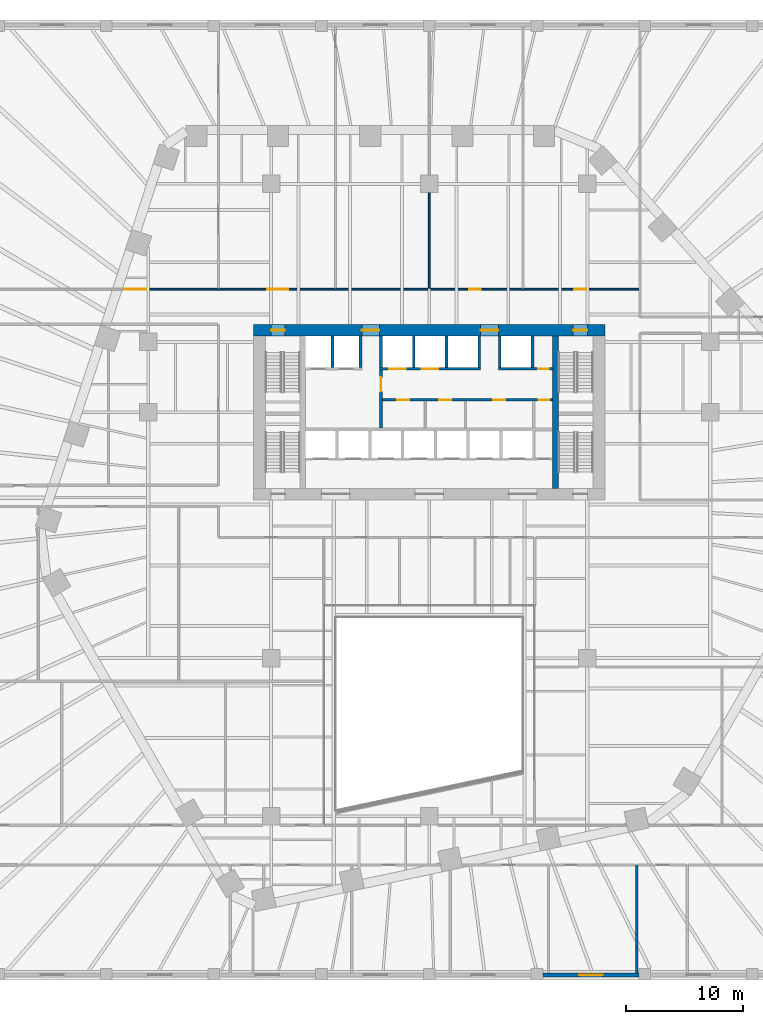
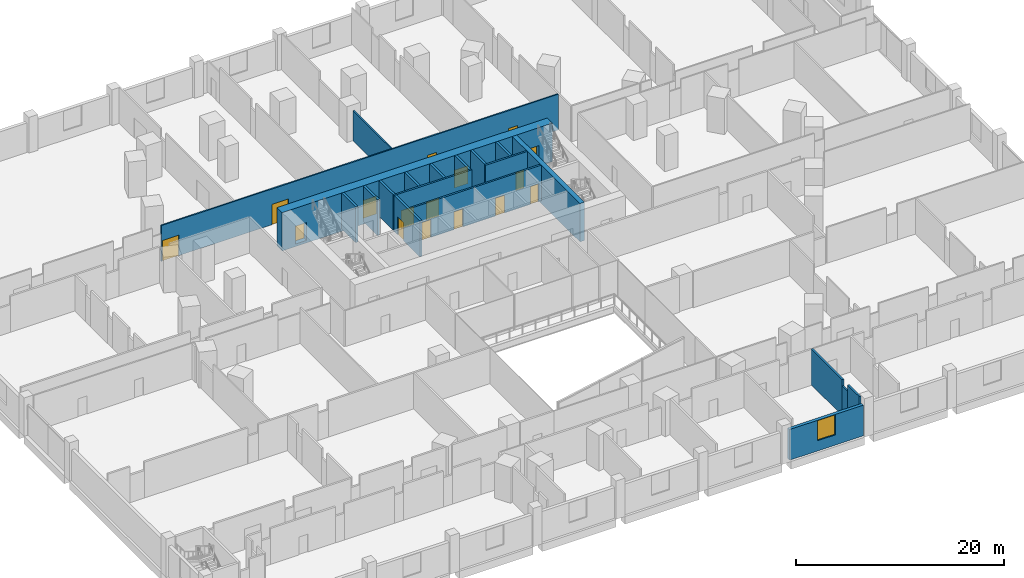
# One storey, part 18 of 29: 20 walls, 16 doors, 1 window, 17 openings.
"""IFC4 building model written with IfcOpenShell, lengths in metres."""

from ifc_helpers import new_model, si_unit, direction, frame, frame_2d, origin, place, context, subcontext, project, spatial, rectangle, extrude, material, layer, layer_set, type_object, element, fill, save


model = new_model("IFC4")

# Units and contexts
model_context = context("Model", 3, precision=1e-05, world=origin(), true_north=direction((0.0, 1.0)))
body_context = subcontext(model_context, "Body", "Model", "MODEL_VIEW")
ifc_project = project(units=[si_unit("LENGTHUNIT", "METRE"), si_unit("AREAUNIT", "SQUARE_METRE"), si_unit("VOLUMEUNIT", "CUBIC_METRE"), si_unit("PLANEANGLEUNIT", "RADIAN"), si_unit("MASSUNIT", "GRAM", prefix="KILO")], contexts=[model_context])

# Site, building, storey
site_placement = place(None, origin())
site = spatial("IfcSite", under=ifc_project, at=site_placement, CompositionType="ELEMENT")
building_placement = place(site_placement, origin())
building = spatial("IfcBuilding", under=site, at=building_placement, Name="Isthmus Gate Tower", CompositionType="ELEMENT")
storey_placement = place(building_placement, frame((0.0, 0.0, 27.0)))
storey = spatial("IfcBuildingStorey", under=building, at=storey_placement, Name="L04", CompositionType="ELEMENT", Elevation=27.0)

# Wall, opening, door
ifc_material_1 = material(Name="Fire-rated blockwork masonry, 15 MPa", Category="masonry")
ifc_layer_1 = layer(ifc_material_1, 0.25)
ifc_layer_set_1 = layer_set([ifc_layer_1], Name="FIRE-FIGHTING LOBBY WALL 250 90 MIN")
wall_type_1 = type_object("IfcWallType", Name="FIRE-FIGHTING LOBBY WALL 250 90 MIN", PredefinedType="PARTITIONING", material=ifc_layer_set_1)
wall_1_placement = place(storey_placement, frame((-4.125, 6.14990234375, 0.0), z_axis=(0.0, 0.0, 1.0), x_axis=(0.0, 1.0, 0.0)))
wall_1 = element("IfcWall", 1, at=wall_1_placement, inside=storey, type_object=wall_type_1, Name="L04 FIRE-FIGHTING LOBBY WALL 250 90 MIN", PredefinedType="PARTITIONING", context=body_context, shape_type="SweptSolid", body=[
    extrude(rectangle(XDim=4.9501953125, YDim=0.25, at=frame_2d((2.47509765625, 0.0))), origin(), (0.0, 0.0, 1.0), 4.199951171875),
])
opening_1_placement = place(wall_1_placement, frame((3.125, 0.0, 0.0)))
opening_1 = element("IfcOpeningElement", 2, at=opening_1_placement, cuts=wall_1, Name="Opening DC-A05-01", PredefinedType="OPENING", context=body_context, shape_type="SweptSolid", body=[
    extrude(rectangle(XDim=1.199951171875, YDim=2.10009765625, at=frame_2d((0.60009765625, 1.050048828125))), frame((0.0, 0.135009765625, 0.0), z_axis=(0.0, -1.0, 0.0), x_axis=(1.0, 0.0, 0.0)), (0.0, 0.0, 1.0), 0.27001953125),
])
ifc_material_2 = material(Name="Steel door leaf, fire-rated", Category="steel")
door_type_1 = type_object("IfcDoorType", Name="LOBBY FIRE DOOR 1200 X 2100 90 MIN", OperationType="DOUBLE_DOOR_SINGLE_SWING", PredefinedType="DOOR", material=ifc_material_2)
door_1_placement = place(opening_1_placement, origin())
door_1 = element("IfcDoor", 3, at=door_1_placement, inside=storey, type_object=door_type_1, Name="Fire-fighting Lobby Door", OperationType="SINGLE_SWING_LEFT", OverallHeight=2.10009765625, OverallWidth=1.199951171875, PredefinedType="DOOR", context=body_context, shape_type="SweptSolid", body=[
    extrude(rectangle(XDim=1.199951171875, YDim=2.10009765625, at=frame_2d((0.60009765625, 1.050048828125))), frame((0.0, 0.02490234375, 0.0), z_axis=(0.0, -1.0, 0.0), x_axis=(1.0, 0.0, 0.0)), (0.0, 0.0, 1.0), 0.050048828125),
])
fill(opening_1, door_1)

# Walls
ifc_material_3 = material(Name="Concrete f'c 30 MPa", Category="concrete")
ifc_layer_2 = layer(ifc_material_3, 0.199951171875)
ifc_layer_set_2 = layer_set([ifc_layer_2], Name="Fire-rated block wall 200")
wall_type_2 = type_object("IfcWallType", Name="Fire-rated block wall 200", PredefinedType="PARTITIONING", material=ifc_layer_set_2)
wall_2_placement = place(storey_placement, frame((17.714111328125, -40.39990234375, 0.0), z_axis=(0.0, 0.0, 1.0), x_axis=(0.0, 1.0, 0.0)))
element("IfcWall", 4, at=wall_2_placement, inside=storey, type_object=wall_type_2, Name="Fire-rated wall", PredefinedType="PARTITIONING", context=body_context, shape_type="SweptSolid", body=[
    extrude(rectangle(XDim=2.20849609375, YDim=0.199951171875, at=frame_2d((1.104248046875, 0.0))), origin(), (0.0, 0.0, 1.0), 4.199951171875),
])
wall_3_placement = place(storey_placement, frame((17.714111328125, -38.19140625, 0.0), z_axis=(0.0, 0.0, 1.0), x_axis=(0.0, 1.0, 0.0)))
element("IfcWall", 5, at=wall_3_placement, inside=storey, type_object=wall_type_2, Name="Fire-rated wall", PredefinedType="PARTITIONING", context=body_context, shape_type="SweptSolid", body=[
    extrude(rectangle(XDim=1.059814453125, YDim=0.199951171875, at=frame_2d((0.52978515625, 0.0))), origin(), (0.0, 0.0, 1.0), 3.45068359375),
])
wall_4_placement = place(storey_placement, frame((17.714111328125, -37.131591796875, 0.0), z_axis=(0.0, 0.0, 1.0), x_axis=(0.0, 1.0, 0.0)))
element("IfcWall", 6, at=wall_4_placement, inside=storey, type_object=wall_type_2, Name="Fire-rated wall", PredefinedType="PARTITIONING", context=body_context, shape_type="SweptSolid", body=[
    extrude(rectangle(XDim=5.95263671875, YDim=0.199951171875, at=frame_2d((2.976318359375, 0.0))), origin(), (0.0, 0.0, 1.0), 4.199951171875),
])

# Wall, opening, window
ifc_material_4 = material(Name="Precast concrete C40/50, limestone-faced", Category="masonry")
ifc_layer_3 = layer(ifc_material_4, 0.35009765625)
ifc_layer_set_3 = layer_set([ifc_layer_3], Name="PODIUM CLADDING WALL 350")
wall_type_3 = type_object("IfcWallType", Name="PODIUM CLADDING WALL 350", PredefinedType="SOLIDWALL", material=ifc_layer_set_3)
wall_5_placement = place(storey_placement, frame((9.699951171875, -40.574951171875, -0.300048828125), z_axis=(0.0, 0.0, 1.0), x_axis=(1.0, 0.0, 0.0)))
wall_5 = element("IfcWall", 7, at=wall_5_placement, inside=storey, type_object=wall_type_3, Name="PODIUM WALL", PredefinedType="SOLIDWALL", context=body_context, shape_type="SweptSolid", body=[
    extrude(rectangle(XDim=8.199951171875, YDim=0.35009765625, at=frame_2d((4.10009765625, 0.0))), origin(), (0.0, 0.0, 1.0), 3.60009765625),
])
opening_2_placement = place(wall_5_placement, frame((3.10009765625, 0.0, 1.199951171875)))
opening_2 = element("IfcOpeningElement", 8, at=opening_2_placement, cuts=wall_5, Name="Opening W068", PredefinedType="OPENING", context=body_context, shape_type="SweptSolid", body=[
    extrude(rectangle(XDim=2.0, YDim=2.35009765625, at=frame_2d((1.0, 1.175048828125))), frame((0.0, 0.18505859375, 0.0), z_axis=(0.0, -1.0, 0.0), x_axis=(1.0, 0.0, 0.0)), (0.0, 0.0, 1.0), 0.3701171875),
])
ifc_material_5 = material(Name="Aluminium, pale champagne anodised, laminated glass", Category="aluminium")
window_type = type_object("IfcWindowType", Name="PODIUM SLOT WINDOW 2000 X 2350", PartitioningType="SINGLE_PANEL", PredefinedType="WINDOW", material=ifc_material_5)
window_placement = place(opening_2_placement, origin())
window = element("IfcWindow", 9, at=window_placement, inside=storey, type_object=window_type, Name="SLOT WINDOW", OverallHeight=2.35009765625, OverallWidth=2.0, PartitioningType="SINGLE_PANEL", PredefinedType="WINDOW", context=body_context, shape_type="SweptSolid", body=[
    extrude(rectangle(XDim=2.0, YDim=2.35009765625, at=frame_2d((1.0, 1.175048828125))), frame((0.0, 0.030029296875, 0.0), z_axis=(0.0, -1.0, 0.0), x_axis=(1.0, 0.0, 0.0)), (0.0, 0.0, 1.0), 0.06005859375),
])
fill(opening_2, window)

# Wall, openings, doors
ifc_material_6 = material(Name="Gypsum board on cold-formed steel studs", Category="steel")
ifc_layer_4 = layer(ifc_material_6, 0.14990234375)
ifc_layer_set_4 = layer_set([ifc_layer_4])
wall_type_4 = type_object("IfcWallType", Name="Partition 150 gypsum board on steel studs", PredefinedType="PARTITIONING", material=ifc_layer_set_4)
wall_6_placement = place(storey_placement, frame((-26.142333984375, 18.0, 0.0), z_axis=(0.0, 0.0, 1.0), x_axis=(1.0, 0.0, 0.0)))
wall_6 = element("IfcWall", 10, at=wall_6_placement, inside=storey, type_object=wall_type_4, Name="Partition", PredefinedType="PARTITIONING", context=body_context, shape_type="SweptSolid", body=[
    extrude(rectangle(XDim=44.0673828125, YDim=0.14990234375, at=frame_2d((22.03369140625, 0.0))), origin(), (0.0, 0.0, 1.0), 4.199951171875),
])
opening_3_placement = place(wall_6_placement, frame((0.14990234375, 0.0, 0.0)))
opening_3 = element("IfcOpeningElement", 11, at=opening_3_placement, cuts=wall_6, Name="Opening DP04-10", PredefinedType="OPENING", context=body_context, shape_type="SweptSolid", body=[
    extrude(rectangle(XDim=1.800048828125, YDim=2.39990234375, at=frame_2d((0.89990234375, 1.199951171875))), frame((0.0, 0.0849609375, 0.0), z_axis=(0.0, -1.0, 0.0), x_axis=(1.0, 0.0, 0.0)), (0.0, 0.0, 1.0), 0.169921875),
])
opening_4_placement = place(wall_6_placement, frame((12.29248046875, 0.0, 0.0)))
opening_4 = element("IfcOpeningElement", 12, at=opening_4_placement, cuts=wall_6, Name="Opening DP04-31", PredefinedType="OPENING", context=body_context, shape_type="SweptSolid", body=[
    extrude(rectangle(XDim=1.800048828125, YDim=2.39990234375, at=frame_2d((0.89990234375, 1.199951171875))), frame((0.0, 0.0849609375, 0.0), z_axis=(0.0, -1.0, 0.0), x_axis=(1.0, 0.0, 0.0)), (0.0, 0.0, 1.0), 0.169921875),
])
opening_5_placement = place(wall_6_placement, frame((29.54248046875, 0.0, 0.0)))
opening_5 = element("IfcOpeningElement", 13, at=opening_5_placement, cuts=wall_6, Name="Opening DP04-33", PredefinedType="OPENING", context=body_context, shape_type="SweptSolid", body=[
    extrude(rectangle(XDim=1.0, YDim=2.10009765625, at=frame_2d((0.5, 1.050048828125))), frame((0.0, 0.0849609375, 0.0), z_axis=(0.0, -1.0, 0.0), x_axis=(1.0, 0.0, 0.0)), (0.0, 0.0, 1.0), 0.169921875),
])
opening_6_placement = place(wall_6_placement, frame((38.54248046875, 0.0, 0.0)))
opening_6 = element("IfcOpeningElement", 14, at=opening_6_placement, cuts=wall_6, Name="Opening DP04-34", PredefinedType="OPENING", context=body_context, shape_type="SweptSolid", body=[
    extrude(rectangle(XDim=1.0, YDim=2.10009765625, at=frame_2d((0.5, 1.050048828125))), frame((0.0, 0.0849609375, 0.0), z_axis=(0.0, -1.0, 0.0), x_axis=(1.0, 0.0, 0.0)), (0.0, 0.0, 1.0), 0.169921875),
])
ifc_material_7 = material(Name="Hollow metal frame with solid-core timber leaves", Category="wood")
door_type_2 = type_object("IfcDoorType", Name="Double swing door 1800 x 2400", OperationType="DOUBLE_DOOR_SINGLE_SWING", PredefinedType="DOOR", material=ifc_material_7)
door_2_placement = place(opening_3_placement, origin())
door_2 = element("IfcDoor", 15, at=door_2_placement, inside=storey, type_object=door_type_2, Name="Door DP04-10", OperationType="SINGLE_SWING_LEFT", OverallHeight=2.39990234375, OverallWidth=1.800048828125, PredefinedType="DOOR", context=body_context, shape_type="SweptSolid", body=[
    extrude(rectangle(XDim=1.800048828125, YDim=2.39990234375, at=frame_2d((0.89990234375, 1.199951171875))), frame((0.0, 0.02490234375, 0.0), z_axis=(0.0, -1.0, 0.0), x_axis=(1.0, 0.0, 0.0)), (0.0, 0.0, 1.0), 0.050048828125),
])
fill(opening_3, door_2)
door_3_placement = place(opening_4_placement, origin())
door_3 = element("IfcDoor", 16, at=door_3_placement, inside=storey, type_object=door_type_2, Name="Door DP04-31", OperationType="SINGLE_SWING_LEFT", OverallHeight=2.39990234375, OverallWidth=1.800048828125, PredefinedType="DOOR", context=body_context, shape_type="SweptSolid", body=[
    extrude(rectangle(XDim=1.800048828125, YDim=2.39990234375, at=frame_2d((0.89990234375, 1.199951171875))), frame((0.0, 0.02490234375, 0.0), z_axis=(0.0, -1.0, 0.0), x_axis=(1.0, 0.0, 0.0)), (0.0, 0.0, 1.0), 0.050048828125),
])
fill(opening_4, door_3)
ifc_material_8 = material(Name="Hollow metal frame with solid-core timber leaf", Category="wood")
door_type_3 = type_object("IfcDoorType", Name="Single swing door 1000 x 2100", OperationType="SINGLE_SWING_LEFT", PredefinedType="DOOR", material=ifc_material_8)
door_4_placement = place(opening_5_placement, origin())
door_4 = element("IfcDoor", 17, at=door_4_placement, inside=storey, type_object=door_type_3, Name="Door DP04-33", OperationType="SINGLE_SWING_LEFT", OverallHeight=2.10009765625, OverallWidth=1.0, PredefinedType="DOOR", context=body_context, shape_type="SweptSolid", body=[
    extrude(rectangle(XDim=1.0, YDim=2.10009765625, at=frame_2d((0.5, 1.050048828125))), frame((0.0, 0.02490234375, 0.0), z_axis=(0.0, -1.0, 0.0), x_axis=(1.0, 0.0, 0.0)), (0.0, 0.0, 1.0), 0.050048828125),
])
fill(opening_5, door_4)
door_5_placement = place(opening_6_placement, origin())
door_5 = element("IfcDoor", 18, at=door_5_placement, inside=storey, type_object=door_type_3, Name="Door DP04-34", OperationType="SINGLE_SWING_LEFT", OverallHeight=2.10009765625, OverallWidth=1.0, PredefinedType="DOOR", context=body_context, shape_type="SweptSolid", body=[
    extrude(rectangle(XDim=1.0, YDim=2.10009765625, at=frame_2d((0.5, 1.050048828125))), frame((0.0, 0.02490234375, 0.0), z_axis=(0.0, -1.0, 0.0), x_axis=(1.0, 0.0, 0.0)), (0.0, 0.0, 1.0), 0.050048828125),
])
fill(opening_6, door_5)

# Walls
wall_7_placement = place(storey_placement, frame((0.0, 18.074951171875, 0.0), z_axis=(0.0, 0.0, 1.0), x_axis=(0.0, 1.0, 0.0)))
element("IfcWall", 19, at=wall_7_placement, inside=storey, type_object=wall_type_4, Name="Partition", PredefinedType="PARTITIONING", context=body_context, shape_type="SweptSolid", body=[
    extrude(rectangle(XDim=8.175048828125, YDim=0.14990234375, at=frame_2d((4.08740234375, 0.0))), origin(), (0.0, 0.0, 1.0), 3.5205078125),
])
ifc_material_9 = material(Name="Concrete f'c 70 MPa", Category="concrete")
ifc_layer_5 = layer(ifc_material_9, 0.5)
ifc_layer_set_5 = layer_set([ifc_layer_5], Name="RC CORE SPINE WALL 500 F'C 70")
wall_type_5 = type_object("IfcWallType", Name="RC CORE SPINE WALL 500 F'C 70", PredefinedType="SOLIDWALL", material=ifc_layer_set_5)
wall_8_placement = place(storey_placement, frame((10.800048828125, 1.0, -0.300048828125), z_axis=(0.0, 0.0, 1.0), x_axis=(0.0, 1.0, 0.0)))
element("IfcWall", 20, at=wall_8_placement, inside=storey, type_object=wall_type_5, Name="str-corewall-L04-SPE", PredefinedType="SOLIDWALL", context=body_context, shape_type="SweptSolid", body=[
    extrude(rectangle(XDim=13.0, YDim=0.5, at=frame_2d((6.5, 0.0))), origin(), (0.0, 0.0, 1.0), 4.5),
])

# Wall, openings, doors
ifc_material_10 = material(Name="Concrete f'c 70 MPa", Category="concrete")
ifc_layer_6 = layer(ifc_material_10, 1.0)
ifc_layer_set_6 = layer_set([ifc_layer_6], Name="RC CORE WALL 1000 F'C 70")
wall_type_6 = type_object("IfcWallType", Name="RC CORE WALL 1000 F'C 70", PredefinedType="SOLIDWALL", material=ifc_layer_set_6)
wall_9_placement = place(storey_placement, frame((-15.0, 14.5, -0.300048828125), z_axis=(0.0, 0.0, 1.0), x_axis=(1.0, 0.0, 0.0)))
wall_9 = element("IfcWall", 21, at=wall_9_placement, inside=storey, type_object=wall_type_6, Name="str-corewall-L04-N", PredefinedType="SOLIDWALL", context=body_context, shape_type="SweptSolid", body=[
    extrude(rectangle(XDim=30.0, YDim=1.0, at=frame_2d((15.0, 0.0))), origin(), (0.0, 0.0, 1.0), 4.5),
])
opening_7_placement = place(wall_9_placement, frame((9.25, 0.0, 0.300048828125)))
opening_7 = element("IfcOpeningElement", 22, at=opening_7_placement, cuts=wall_9, Name="Opening DC-A05-11", PredefinedType="OPENING", context=body_context, shape_type="SweptSolid", body=[
    extrude(rectangle(XDim=1.5, YDim=2.10009765625, at=frame_2d((0.75, 1.050048828125))), frame((0.0, 0.510009765625, 0.0), z_axis=(0.0, -1.0, 0.0), x_axis=(1.0, 0.0, 0.0)), (0.0, 0.0, 1.0), 1.02001953125),
])
opening_8_placement = place(wall_9_placement, frame((19.39990234375, 0.0, 0.300048828125)))
opening_8 = element("IfcOpeningElement", 23, at=opening_8_placement, cuts=wall_9, Name="Opening DC-A05-12", PredefinedType="OPENING", context=body_context, shape_type="SweptSolid", body=[
    extrude(rectangle(XDim=1.5, YDim=2.10009765625, at=frame_2d((0.75, 1.050048828125))), frame((0.0, 0.510009765625, 0.0), z_axis=(0.0, -1.0, 0.0), x_axis=(1.0, 0.0, 0.0)), (0.0, 0.0, 1.0), 1.02001953125),
])
opening_9_placement = place(wall_9_placement, frame((1.5, 0.0, 0.300048828125)))
opening_9 = element("IfcOpeningElement", 24, at=opening_9_placement, cuts=wall_9, Name="Opening DC-A05-13", PredefinedType="OPENING", context=body_context, shape_type="SweptSolid", body=[
    extrude(rectangle(XDim=1.199951171875, YDim=2.10009765625, at=frame_2d((0.60009765625, 1.050048828125))), frame((0.0, 0.510009765625, 0.0), z_axis=(0.0, -1.0, 0.0), x_axis=(1.0, 0.0, 0.0)), (0.0, 0.0, 1.0), 1.02001953125),
])
opening_10_placement = place(wall_9_placement, frame((27.300048828125, 0.0, 0.300048828125)))
opening_10 = element("IfcOpeningElement", 25, at=opening_10_placement, cuts=wall_9, Name="Opening DC-A05-14", PredefinedType="OPENING", context=body_context, shape_type="SweptSolid", body=[
    extrude(rectangle(XDim=1.199951171875, YDim=2.10009765625, at=frame_2d((0.60009765625, 1.050048828125))), frame((0.0, 0.510009765625, 0.0), z_axis=(0.0, -1.0, 0.0), x_axis=(1.0, 0.0, 0.0)), (0.0, 0.0, 1.0), 1.02001953125),
])
ifc_material_11 = material(Name="Steel door leaf, fire-rated", Category="steel")
door_type_4 = type_object("IfcDoorType", Name="LOBBY FIRE DOOR 1500 X 2100 60 MIN", OperationType="DOUBLE_DOOR_SINGLE_SWING", PredefinedType="DOOR", material=ifc_material_11)
door_6_placement = place(opening_8_placement, origin())
door_6 = element("IfcDoor", 26, at=door_6_placement, inside=storey, type_object=door_type_4, Name="Lobby Door PN-E", OperationType="DOUBLE_DOOR_SINGLE_SWING", OverallHeight=2.10009765625, OverallWidth=1.5, PredefinedType="DOOR", context=body_context, shape_type="SweptSolid", body=[
    extrude(rectangle(XDim=1.5, YDim=2.10009765625, at=frame_2d((0.75, 1.050048828125))), frame((0.0, 0.02490234375, 0.0), z_axis=(0.0, -1.0, 0.0), x_axis=(1.0, 0.0, 0.0)), (0.0, 0.0, 1.0), 0.050048828125),
])
fill(opening_8, door_6)
ifc_material_12 = material(Name="Steel door leaf, fire-rated", Category="steel")
door_type_5 = type_object("IfcDoorType", Name="LOBBY FIRE DOOR 1500 X 2100 90 MIN", OperationType="DOUBLE_DOOR_SINGLE_SWING", PredefinedType="DOOR", material=ifc_material_12)
door_7_placement = place(opening_7_placement, origin())
door_7 = element("IfcDoor", 27, at=door_7_placement, inside=storey, type_object=door_type_5, Name="Lobby Door PN-W", OperationType="DOUBLE_DOOR_SINGLE_SWING", OverallHeight=2.10009765625, OverallWidth=1.5, PredefinedType="DOOR", context=body_context, shape_type="SweptSolid", body=[
    extrude(rectangle(XDim=1.5, YDim=2.10009765625, at=frame_2d((0.75, 1.050048828125))), frame((0.0, 0.02490234375, 0.0), z_axis=(0.0, -1.0, 0.0), x_axis=(1.0, 0.0, 0.0)), (0.0, 0.0, 1.0), 0.050048828125),
])
fill(opening_7, door_7)
ifc_material_13 = material(Name="Steel door leaf, fire-rated", Category="steel")
door_type_6 = type_object("IfcDoorType", Name="STAIR FIRE DOOR 1200 X 2100 90 MIN", OperationType="SINGLE_SWING_LEFT", PredefinedType="DOOR", material=ifc_material_13)
door_8_placement = place(opening_9_placement, origin())
door_8 = element("IfcDoor", 28, at=door_8_placement, inside=storey, type_object=door_type_6, Name="Exit Stair 1 Door", OperationType="SINGLE_SWING_RIGHT", OverallHeight=2.10009765625, OverallWidth=1.199951171875, PredefinedType="DOOR", context=body_context, shape_type="SweptSolid", body=[
    extrude(rectangle(XDim=1.199951171875, YDim=2.10009765625, at=frame_2d((0.60009765625, 1.050048828125))), frame((0.0, 0.02490234375, 0.0), z_axis=(0.0, -1.0, 0.0), x_axis=(1.0, 0.0, 0.0)), (0.0, 0.0, 1.0), 0.050048828125),
])
fill(opening_9, door_8)
door_9_placement = place(opening_10_placement, origin())
door_9 = element("IfcDoor", 29, at=door_9_placement, inside=storey, type_object=door_type_6, Name="Exit Stair 2 Door", OperationType="SINGLE_SWING_LEFT", OverallHeight=2.10009765625, OverallWidth=1.199951171875, PredefinedType="DOOR", context=body_context, shape_type="SweptSolid", body=[
    extrude(rectangle(XDim=1.199951171875, YDim=2.10009765625, at=frame_2d((0.60009765625, 1.050048828125))), frame((0.0, 0.02490234375, 0.0), z_axis=(0.0, -1.0, 0.0), x_axis=(1.0, 0.0, 0.0)), (0.0, 0.0, 1.0), 0.050048828125),
])
fill(opening_10, door_9)

ifc_material_14 = material(Name="Fire-rated blockwork masonry, 15 MPa", Category="masonry")
ifc_layer_7 = layer(ifc_material_14, 0.199951171875)
ifc_layer_set_7 = layer_set([ifc_layer_7], Name="SHAFT FRONT WALL 200 120 MIN")
wall_type_7 = type_object("IfcWallType", Name="SHAFT FRONT WALL 200 120 MIN", PredefinedType="PARTITIONING", material=ifc_layer_set_7)
wall_10_placement = place(storey_placement, frame((-4.125, 8.550048828125, 0.0), z_axis=(0.0, 0.0, 1.0), x_axis=(1.0, 0.0, 0.0)))
wall_10 = element("IfcWall", 30, at=wall_10_placement, inside=storey, type_object=wall_type_7, Name="L04 SHAFT FRONT WALL 200 120 MIN", PredefinedType="PARTITIONING", context=body_context, shape_type="SweptSolid", body=[
    extrude(rectangle(XDim=14.675048828125, YDim=0.199951171875, at=frame_2d((7.33740234375, 0.0))), origin(), (0.0, 0.0, 1.0), 4.199951171875),
])
opening_11_placement = place(wall_10_placement, frame((1.41259765625, 0.0, 0.0)))
opening_11 = element("IfcOpeningElement", 31, at=opening_11_placement, cuts=wall_10, Name="Opening DC-A05-03", PredefinedType="OPENING", context=body_context, shape_type="SweptSolid", body=[
    extrude(rectangle(XDim=1.0, YDim=2.10009765625, at=frame_2d((0.5, 1.050048828125))), frame((0.0, 0.10986328125, 0.0), z_axis=(0.0, -1.0, 0.0), x_axis=(1.0, 0.0, 0.0)), (0.0, 0.0, 1.0), 0.219970703125),
])
opening_12_placement = place(wall_10_placement, frame((5.0, 0.0, 0.0)))
opening_12 = element("IfcOpeningElement", 32, at=opening_12_placement, cuts=wall_10, Name="Opening DC-A05-04", PredefinedType="OPENING", context=body_context, shape_type="SweptSolid", body=[
    extrude(rectangle(XDim=1.0, YDim=2.10009765625, at=frame_2d((0.5, 1.050048828125))), frame((0.0, 0.10986328125, 0.0), z_axis=(0.0, -1.0, 0.0), x_axis=(1.0, 0.0, 0.0)), (0.0, 0.0, 1.0), 0.219970703125),
])
opening_13_placement = place(wall_10_placement, frame((9.612548828125, 0.0, 0.0)))
opening_13 = element("IfcOpeningElement", 33, at=opening_13_placement, cuts=wall_10, Name="Opening DC-A05-05", PredefinedType="OPENING", context=body_context, shape_type="SweptSolid", body=[
    extrude(rectangle(XDim=1.0, YDim=2.10009765625, at=frame_2d((0.5, 1.050048828125))), frame((0.0, 0.10986328125, 0.0), z_axis=(0.0, -1.0, 0.0), x_axis=(1.0, 0.0, 0.0)), (0.0, 0.0, 1.0), 0.219970703125),
])
opening_14_placement = place(wall_10_placement, frame((13.47509765625, 0.0, 0.0)))
opening_14 = element("IfcOpeningElement", 34, at=opening_14_placement, cuts=wall_10, Name="Opening DC-A05-06", PredefinedType="OPENING", context=body_context, shape_type="SweptSolid", body=[
    extrude(rectangle(XDim=0.89990234375, YDim=2.10009765625, at=frame_2d((0.449951171875, 1.050048828125))), frame((0.0, 0.10986328125, 0.0), z_axis=(0.0, -1.0, 0.0), x_axis=(1.0, 0.0, 0.0)), (0.0, 0.0, 1.0), 0.219970703125),
])
ifc_material_15 = material(Name="Steel door leaf, fire-rated", Category="steel")
door_type_7 = type_object("IfcDoorType", Name="FIRE DOOR 1000 X 2100 60 MIN", OperationType="SINGLE_SWING_LEFT", PredefinedType="DOOR", material=ifc_material_15)
door_10_placement = place(opening_11_placement, origin())
door_10 = element("IfcDoor", 35, at=door_10_placement, inside=storey, type_object=door_type_7, Name="WC Women Door", OperationType="SINGLE_SWING_LEFT", OverallHeight=2.10009765625, OverallWidth=1.0, PredefinedType="DOOR", context=body_context, shape_type="SweptSolid", body=[
    extrude(rectangle(XDim=1.0, YDim=2.10009765625, at=frame_2d((0.5, 1.050048828125))), frame((0.0, 0.02490234375, 0.0), z_axis=(0.0, -1.0, 0.0), x_axis=(1.0, 0.0, 0.0)), (0.0, 0.0, 1.0), 0.050048828125),
])
fill(opening_11, door_10)
door_11_placement = place(opening_12_placement, origin())
door_11 = element("IfcDoor", 36, at=door_11_placement, inside=storey, type_object=door_type_7, Name="WC Men Door", OperationType="SINGLE_SWING_RIGHT", OverallHeight=2.10009765625, OverallWidth=1.0, PredefinedType="DOOR", context=body_context, shape_type="SweptSolid", body=[
    extrude(rectangle(XDim=1.0, YDim=2.10009765625, at=frame_2d((0.5, 1.050048828125))), frame((0.0, 0.02490234375, 0.0), z_axis=(0.0, -1.0, 0.0), x_axis=(1.0, 0.0, 0.0)), (0.0, 0.0, 1.0), 0.050048828125),
])
fill(opening_12, door_11)
door_12_placement = place(opening_13_placement, origin())
door_12 = element("IfcDoor", 37, at=door_12_placement, inside=storey, type_object=door_type_7, Name="Accessible WC Door", OperationType="SINGLE_SWING_LEFT", OverallHeight=2.10009765625, OverallWidth=1.0, PredefinedType="DOOR", context=body_context, shape_type="SweptSolid", body=[
    extrude(rectangle(XDim=1.0, YDim=2.10009765625, at=frame_2d((0.5, 1.050048828125))), frame((0.0, 0.02490234375, 0.0), z_axis=(0.0, -1.0, 0.0), x_axis=(1.0, 0.0, 0.0)), (0.0, 0.0, 1.0), 0.050048828125),
])
fill(opening_13, door_12)
ifc_material_16 = material(Name="Steel door leaf, fire-rated", Category="steel")
door_type_8 = type_object("IfcDoorType", Name="RISER FIRE DOOR 900 X 2100 90 MIN", OperationType="SINGLE_SWING_LEFT", PredefinedType="DOOR", material=ifc_material_16)
door_13_placement = place(opening_14_placement, origin())
door_13 = element("IfcDoor", 38, at=door_13_placement, inside=storey, type_object=door_type_8, Name="Riser Door", OperationType="SINGLE_SWING_RIGHT", OverallHeight=2.10009765625, OverallWidth=0.89990234375, PredefinedType="DOOR", context=body_context, shape_type="SweptSolid", body=[
    extrude(rectangle(XDim=0.89990234375, YDim=2.10009765625, at=frame_2d((0.449951171875, 1.050048828125))), frame((0.0, 0.02490234375, 0.0), z_axis=(0.0, -1.0, 0.0), x_axis=(1.0, 0.0, 0.0)), (0.0, 0.0, 1.0), 0.050048828125),
])
fill(opening_14, door_13)

wall_11_placement = place(storey_placement, frame((-4.25, 11.199951171875, 0.0), z_axis=(0.0, 0.0, 1.0), x_axis=(1.0, 0.0, 0.0)))
wall_11 = element("IfcWall", 39, at=wall_11_placement, inside=storey, type_object=wall_type_7, Name="L04 SHAFT FRONT WALL 200 120 MIN", PredefinedType="PARTITIONING", context=body_context, shape_type="SweptSolid", body=[
    extrude(rectangle(XDim=8.64990234375, YDim=0.199951171875, at=frame_2d((4.324951171875, 0.0))), origin(), (0.0, 0.0, 1.0), 4.199951171875),
])
opening_15_placement = place(wall_11_placement, frame((0.824951171875, 0.0, 0.0)))
opening_15 = element("IfcOpeningElement", 40, at=opening_15_placement, cuts=wall_11, Name="Opening LD-LV1", PredefinedType="OPENING", context=body_context, shape_type="SweptSolid", body=[
    extrude(rectangle(XDim=1.39990234375, YDim=2.10009765625, at=frame_2d((0.699951171875, 1.050048828125))), frame((0.0, 0.10986328125, 0.0), z_axis=(0.0, -1.0, 0.0), x_axis=(1.0, 0.0, 0.0)), (0.0, 0.0, 1.0), 0.219970703125),
])
opening_16_placement = place(wall_11_placement, frame((3.625, 0.0, 0.0)))
opening_16 = element("IfcOpeningElement", 41, at=opening_16_placement, cuts=wall_11, Name="Opening LD-LV2", PredefinedType="OPENING", context=body_context, shape_type="SweptSolid", body=[
    extrude(rectangle(XDim=1.39990234375, YDim=2.10009765625, at=frame_2d((0.699951171875, 1.050048828125))), frame((0.0, 0.10986328125, 0.0), z_axis=(0.0, -1.0, 0.0), x_axis=(1.0, 0.0, 0.0)), (0.0, 0.0, 1.0), 0.219970703125),
])
ifc_material_17 = material(Name="Stainless steel sliding leaf", Category="steel")
door_type_9 = type_object("IfcDoorType", Name="LIFT LANDING FIRE DOOR 1400 X 2100 90 MIN", OperationType="DOUBLE_DOOR_SLIDING", PredefinedType="DOOR", material=ifc_material_17)
door_14_placement = place(opening_15_placement, origin())
door_14 = element("IfcDoor", 42, at=door_14_placement, inside=storey, type_object=door_type_9, Name="Lift Landing Door LV1", OperationType="DOUBLE_DOOR_SLIDING", OverallHeight=2.10009765625, OverallWidth=1.39990234375, PredefinedType="DOOR", context=body_context, shape_type="SweptSolid", body=[
    extrude(rectangle(XDim=1.39990234375, YDim=2.10009765625, at=frame_2d((0.699951171875, 1.050048828125))), frame((0.0, 0.02490234375, 0.0), z_axis=(0.0, -1.0, 0.0), x_axis=(1.0, 0.0, 0.0)), (0.0, 0.0, 1.0), 0.050048828125),
])
fill(opening_15, door_14)
door_15_placement = place(opening_16_placement, origin())
door_15 = element("IfcDoor", 43, at=door_15_placement, inside=storey, type_object=door_type_9, Name="Lift Landing Door LV2", OperationType="DOUBLE_DOOR_SLIDING", OverallHeight=2.10009765625, OverallWidth=1.39990234375, PredefinedType="DOOR", context=body_context, shape_type="SweptSolid", body=[
    extrude(rectangle(XDim=1.39990234375, YDim=2.10009765625, at=frame_2d((0.699951171875, 1.050048828125))), frame((0.0, 0.02490234375, 0.0), z_axis=(0.0, -1.0, 0.0), x_axis=(1.0, 0.0, 0.0)), (0.0, 0.0, 1.0), 0.050048828125),
])
fill(opening_16, door_15)

# Wall, opening, door
wall_12_placement = place(storey_placement, frame((5.89990234375, 11.199951171875, 0.0), z_axis=(0.0, 0.0, 1.0), x_axis=(1.0, 0.0, 0.0)))
wall_12 = element("IfcWall", 44, at=wall_12_placement, inside=storey, type_object=wall_type_7, Name="L04 SHAFT FRONT WALL 200 120 MIN", PredefinedType="PARTITIONING", context=body_context, shape_type="SweptSolid", body=[
    extrude(rectangle(XDim=4.650146484375, YDim=0.199951171875, at=frame_2d((2.3251953125, 0.0))), origin(), (0.0, 0.0, 1.0), 4.199951171875),
])
opening_17_placement = place(wall_12_placement, frame((3.39990234375, 0.0, 0.0)))
opening_17 = element("IfcOpeningElement", 45, at=opening_17_placement, cuts=wall_12, Name="Opening DC-A05-07", PredefinedType="OPENING", context=body_context, shape_type="SweptSolid", body=[
    extrude(rectangle(XDim=0.89990234375, YDim=2.10009765625, at=frame_2d((0.449951171875, 1.050048828125))), frame((0.0, 0.10986328125, 0.0), z_axis=(0.0, -1.0, 0.0), x_axis=(1.0, 0.0, 0.0)), (0.0, 0.0, 1.0), 0.219970703125),
])
door_16_placement = place(opening_17_placement, origin())
door_16 = element("IfcDoor", 46, at=door_16_placement, inside=storey, type_object=door_type_8, Name="Riser Door", OperationType="SINGLE_SWING_LEFT", OverallHeight=2.10009765625, OverallWidth=0.89990234375, PredefinedType="DOOR", context=body_context, shape_type="SweptSolid", body=[
    extrude(rectangle(XDim=0.89990234375, YDim=2.10009765625, at=frame_2d((0.449951171875, 1.050048828125))), frame((0.0, 0.02490234375, 0.0), z_axis=(0.0, -1.0, 0.0), x_axis=(1.0, 0.0, 0.0)), (0.0, 0.0, 1.0), 0.050048828125),
])
fill(opening_17, door_16)

# Walls
ifc_material_18 = material(Name="Fire-rated blockwork masonry, 15 MPa", Category="masonry")
ifc_layer_8 = layer(ifc_material_18, 0.25)
ifc_layer_set_8 = layer_set([ifc_layer_8], Name="SHAFT WALL 250 120 MIN")
wall_type_8 = type_object("IfcWallType", Name="SHAFT WALL 250 120 MIN", PredefinedType="PARTITIONING", material=ifc_layer_set_8)
for number, where, z_axis, x_axis, name in (
    (47, (-8.27490234375, 11.300048828125, 0.0), (0.0, 0.0, 1.0), (0.0, 1.0, 0.0), "L04 SHAFT WALL 250 120 MIN"),
    (48, (-5.875, 11.300048828125, 0.0), (0.0, 0.0, 1.0), (0.0, 1.0, 0.0), "L04 SHAFT WALL 250 120 MIN"),
    (49, (-4.125, 11.300048828125, 0.0), (0.0, 0.0, 1.0), (0.0, 1.0, 0.0), "L04 SHAFT WALL 250 120 MIN"),
    (50, (-1.324951171875, 11.300048828125, 0.0), (0.0, 0.0, 1.0), (0.0, 1.0, 0.0), "L04 SHAFT WALL 250 120 MIN"),
    (51, (1.47509765625, 11.300048828125, 0.0), (0.0, 0.0, 1.0), (0.0, 1.0, 0.0), "L04 SHAFT WALL 250 120 MIN"),
    (52, (4.27490234375, 11.300048828125, 0.0), (0.0, 0.0, 1.0), (0.0, 1.0, 0.0), "L04 SHAFT WALL 250 120 MIN"),
    (53, (6.02490234375, 11.300048828125, 0.0), (0.0, 0.0, 1.0), (0.0, 1.0, 0.0), "L04 SHAFT WALL 250 120 MIN"),
    (54, (8.824951171875, 11.300048828125, 0.0), (0.0, 0.0, 1.0), (0.0, 1.0, 0.0), "L04 SHAFT WALL 250 120 MIN"),
):
    element("IfcWall", number, at=place(storey_placement, frame(where, z_axis=z_axis, x_axis=x_axis)), inside=storey, type_object=wall_type_8, Name=name, PredefinedType="PARTITIONING", context=body_context, shape_type="SweptSolid", body=[
        extrude(rectangle(XDim=2.699951171875, YDim=0.25, at=frame_2d((1.35009765625, 0.0))), origin(), (0.0, 0.0, 1.0), 4.199951171875),
    ])

save(model, "model.ifc")
